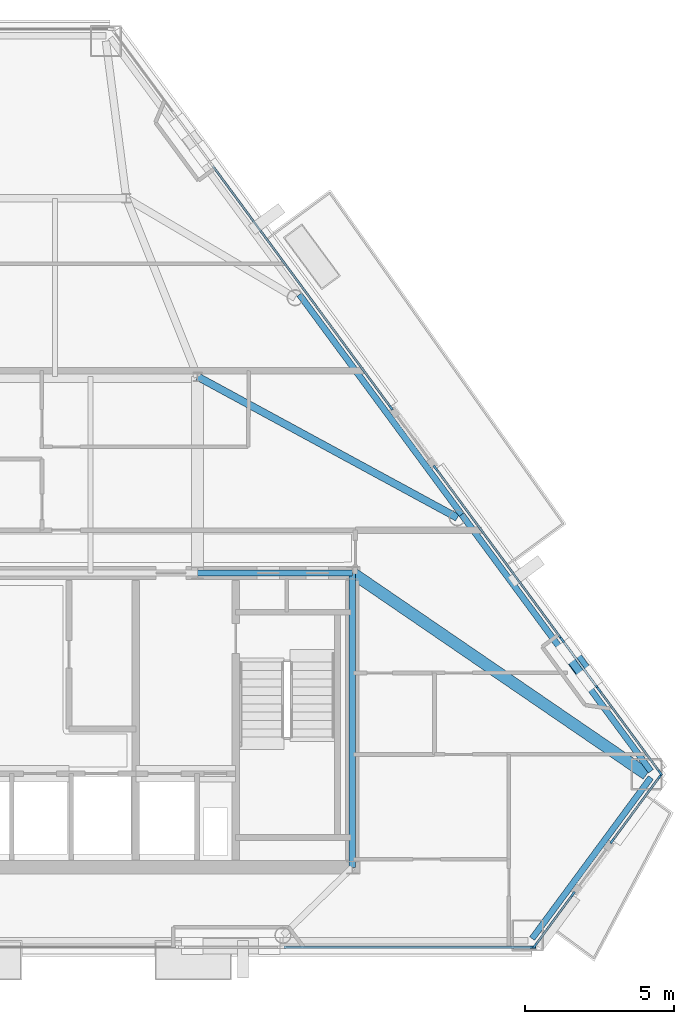
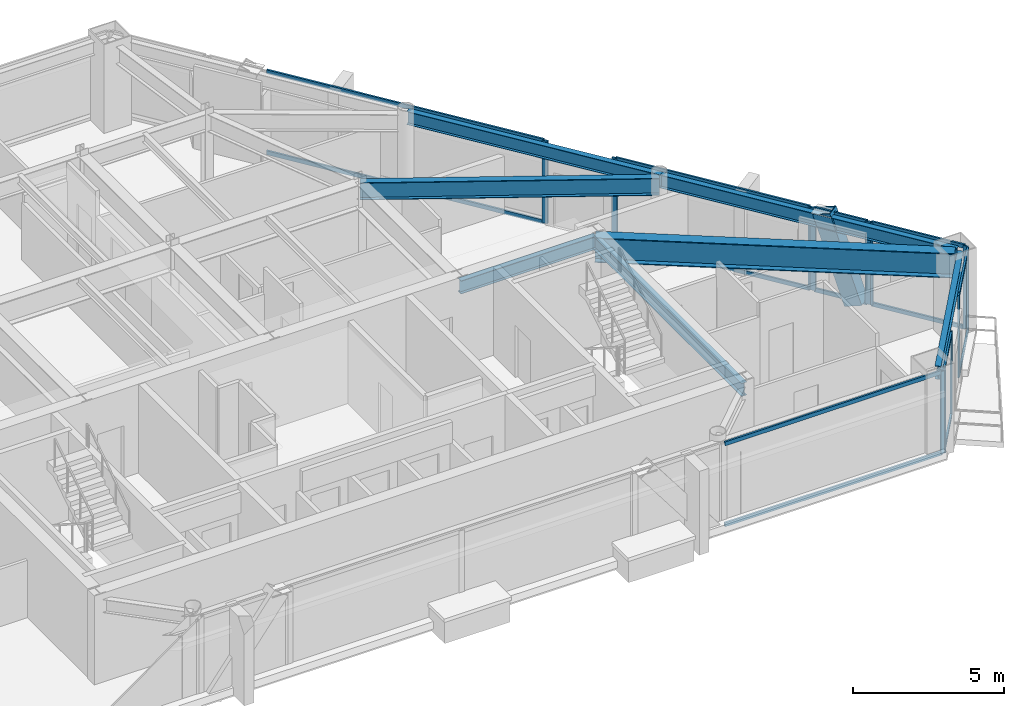
# One storey, part 5 of 11: 27 members, 7 beams, 7 elements without a shape of their own.
"""IFC4 building model written with IfcOpenShell, lengths in metres."""

from ifc_helpers import new_model, si_unit, direction, frame, origin, origin_2d, place, context, subcontext, project, spatial, rectangle, hollow_rectangle, i_section, extrude, material, layer, layer_set, material_profile, profile_set, type_object, element, aggregate, save


model = new_model("IFC4")

# Units and contexts
model_context = context("Model", 3, precision=1e-05, world=origin(), true_north=direction((0.0, 1.0)))
body_context = subcontext(model_context, "Body", "Model", "MODEL_VIEW")
ifc_project = project(units=[si_unit("LENGTHUNIT", "METRE"), si_unit("AREAUNIT", "SQUARE_METRE"), si_unit("VOLUMEUNIT", "CUBIC_METRE"), si_unit("PLANEANGLEUNIT", "RADIAN"), si_unit("MASSUNIT", "GRAM", prefix="KILO")], contexts=[model_context])

# Site, building, storey
site_placement = place(None, origin())
site = spatial("IfcSite", under=ifc_project, at=site_placement, CompositionType="ELEMENT")
building_placement = place(site_placement, origin())
building = spatial("IfcBuilding", under=site, at=building_placement, Name="Talgorran Terracotta Tower", CompositionType="ELEMENT")
storey_placement = place(building_placement, frame((0.0, 0.0, 178.5)))
storey = spatial("IfcBuildingStorey", under=building, at=storey_placement, Name="L46", CompositionType="ELEMENT", Elevation=178.5)

# Beams
ifc_material_1 = material(Name="Steel Grade 350 (350L0)", Category="steel")
ifc_material_profile_1 = material_profile(ifc_material_1, i_section(OverallWidth=0.39990234375, OverallDepth=1.0, WebThickness=0.01611328125, FlangeThickness=0.031005859375, at=origin_2d()), Name="1000WB296")
ifc_profile_set_1 = profile_set([ifc_material_profile_1], Name="Steel Grade 350 (350L0)")
beam_type_1 = type_object("IfcBeamType", Name="BM_1000WB296", PredefinedType="BEAM", material=ifc_profile_set_1)
beam_1_placement = place(storey_placement, frame((12.39990234375, -4.199951171875, 2.85009765625), z_axis=(0.82528178588, -0.564721147023, 0.0), x_axis=(0.564721147023, 0.82528178588, 0.0)))
element("IfcBeam", 1, at=beam_1_placement, inside=storey, type_object=beam_type_1, Name="L46 Floor Girder G18", PredefinedType="BEAM", context=body_context, shape_type="SweptSolid", body=[
    extrude(i_section(OverallWidth=0.39990234375, OverallDepth=1.0, WebThickness=0.01611328125, FlangeThickness=0.031005859375, at=origin_2d()), origin(), (0.0, 0.0, 1.0), 11.98876953125),
])
ifc_material_2 = material(Name="Steel S355 (300PLUS)", Category="steel")
ifc_material_profile_2 = material_profile(ifc_material_2, i_section(OverallWidth=0.25, OverallDepth=0.699951171875, WebThickness=0.011962890625, FlangeThickness=0.02392578125, at=origin_2d()), Name="700WB150")
ifc_profile_set_2 = profile_set([ifc_material_profile_2], Name="Steel S355 (300PLUS)")
beam_type_2 = type_object("IfcBeamType", Name="BM_700WB150", PredefinedType="BEAM", material=ifc_profile_set_2)
beam_2_placement = place(storey_placement, frame((7.199951171875, 2.39990234375, 3.0), z_axis=(0.878788070387, -0.477212245594, 0.0), x_axis=(0.477212245594, 0.878788070387, 0.0)))
element("IfcBeam", 2, at=beam_2_placement, inside=storey, type_object=beam_type_2, Name="L46 Floor Girder G07", PredefinedType="BEAM", context=body_context, shape_type="SweptSolid", body=[
    extrude(i_section(OverallWidth=0.25, OverallDepth=0.699951171875, WebThickness=0.011962890625, FlangeThickness=0.02392578125, at=origin_2d()), origin(), (0.0, 0.0, 1.0), 9.935302734375),
])
ifc_material_profile_3 = material_profile(ifc_material_2, i_section(OverallWidth=0.209228515625, OverallDepth=0.532958984375, WebThickness=0.01025390625, FlangeThickness=0.015625, at=origin_2d()), Name="530UB92.4")
ifc_profile_set_3 = profile_set([ifc_material_profile_3], Name="Steel S355 (300PLUS)")
beam_type_3 = type_object("IfcBeamType", Name="BM_SP_530UB92", PredefinedType="SPANDREL", material=ifc_profile_set_3)
beam_3_placement = place(storey_placement, frame((18.445556640625, -16.492431640625, 3.08349609375), z_axis=(0.593483681594, 0.804846022343, 0.0), x_axis=(-0.804846022343, 0.593483681594, 0.0)))
element("IfcBeam", 3, at=beam_3_placement, inside=storey, type_object=beam_type_3, Name="L46 Perimeter Spandrel Beam MC3-MC4", PredefinedType="SPANDREL", context=body_context, shape_type="SweptSolid", body=[
    extrude(i_section(OverallWidth=0.209228515625, OverallDepth=0.532958984375, WebThickness=0.01025390625, FlangeThickness=0.015625, at=origin_2d()), origin(), (0.0, 0.0, 1.0), 6.728271484375),
])
beam_4_placement = place(storey_placement, frame((22.438720703125, -10.863525390625, 3.08349609375), z_axis=(-0.593480195487, 0.804848592944, 0.0), x_axis=(-0.804848592944, -0.593480195487, 0.0)))
element("IfcBeam", 4, at=beam_4_placement, inside=storey, type_object=beam_type_3, Name="L46 Perimeter Spandrel Beam MC4-FC3", PredefinedType="SPANDREL", context=body_context, shape_type="SweptSolid", body=[
    extrude(i_section(OverallWidth=0.209228515625, OverallDepth=0.532958984375, WebThickness=0.01025390625, FlangeThickness=0.015625, at=origin_2d()), origin(), (0.0, 0.0, 1.0), 10.72119140625),
])
beam_5_placement = place(storey_placement, frame((16.075927734375, -2.234619140625, 3.08349609375), z_axis=(-0.593498050336, 0.804835426809, 0.0), x_axis=(-0.804835426809, -0.593498050336, 0.0)))
element("IfcBeam", 5, at=beam_5_placement, inside=storey, type_object=beam_type_3, Name="L46 Perimeter Spandrel Beam FC3-FC4", PredefinedType="SPANDREL", context=body_context, shape_type="SweptSolid", body=[
    extrude(i_section(OverallWidth=0.209228515625, OverallDepth=0.532958984375, WebThickness=0.01025390625, FlangeThickness=0.015625, at=origin_2d()), origin(), (0.0, 0.0, 1.0), 9.189697265625),
])
beam_6_placement = place(storey_placement, frame((12.39990234375, -14.10009765625, 3.08349609375), z_axis=(0.0, 1.0, 0.0), x_axis=(-1.0, 0.0, 0.0)))
element("IfcBeam", 6, at=beam_6_placement, inside=storey, type_object=beam_type_3, Name="L46 Core Frame Beam CFE", PredefinedType="SPANDREL", context=body_context, shape_type="SweptSolid", body=[
    extrude(i_section(OverallWidth=0.209228515625, OverallDepth=0.532958984375, WebThickness=0.01025390625, FlangeThickness=0.015625, at=origin_2d()), origin(), (0.0, 0.0, 1.0), 9.900146484375),
])
beam_7_placement = place(storey_placement, frame((7.199951171875, -4.199951171875, 3.08349609375), z_axis=(1.0, 0.0, 0.0), x_axis=(0.0, 1.0, 0.0)))
element("IfcBeam", 7, at=beam_7_placement, inside=storey, type_object=beam_type_3, Name="L46 Core Frame Beam CFN4", PredefinedType="SPANDREL", context=body_context, shape_type="SweptSolid", body=[
    extrude(i_section(OverallWidth=0.209228515625, OverallDepth=0.532958984375, WebThickness=0.01025390625, FlangeThickness=0.015625, at=origin_2d()), origin(), (0.0, 0.0, 1.0), 5.199951171875),
])

# Member
ifc_material_profile_4 = material_profile(ifc_material_1, hollow_rectangle(XDim=0.52001953125, YDim=0.659912109375, WallThickness=0.034912109375, at=origin_2d()), Name="WBOX660X520X35")
ifc_profile_set_4 = profile_set([ifc_material_profile_4], Name="Steel Grade 350 (350L0)")
member_type_1 = type_object("IfcMemberType", Name="MB_MEGA_660", PredefinedType="BRACE", material=ifc_profile_set_4)
member_1_placement = place(storey_placement, frame((20.36181640625, -7.743408203125, -0.02490234375), z_axis=(-0.190192995506, 0.25780810192, 0.947291722251), x_axis=(-0.804714153157, -0.593662472883, 0.0)))
element("IfcMember", 8, at=member_1_placement, inside=storey, type_object=member_type_1, Name="L46 Exterior Face Mega-Brace MB-3 (NEL)", PredefinedType="BRACE", context=body_context, shape_type="SweptSolid", body=[
    extrude(hollow_rectangle(XDim=0.52001953125, YDim=0.659912109375, WallThickness=0.034912109375, at=origin_2d()), origin(), (0.0, 0.0, 1.0), 3.589111328125),
])

# Curtain wall, member
ifc_material_3 = material(Name="High-Wind Unitised Glazing", Category="glass")
ifc_layer = layer(ifc_material_3, 0.2099609375, Name="CW_SYS3_RES_HIGH")
ifc_layer_set = layer_set([ifc_layer], Name="High-Wind Unitised Glazing")
curtain_wall_type = type_object("IfcCurtainWallType", Name="CW_SYS3_RES_HIGH", PredefinedType="NOTDEFINED", material=ifc_layer_set)
curtain_wall_1_placement = place(storey_placement, origin())
curtain_wall_1 = element("IfcCurtainWall", 9, at=curtain_wall_1_placement, inside=storey, type_object=curtain_wall_type, Name="CW-L46-F1E", PredefinedType="NOTDEFINED")
ifc_material_4 = material(Name="Architectural Aluminium 6063-T6", Category="aluminium")
ifc_material_profile_5 = material_profile(ifc_material_4, rectangle(XDim=0.070068359375, YDim=0.199951171875, at=origin_2d()), Name="CWM70X200")
ifc_profile_set_5 = profile_set([ifc_material_profile_5], Name="Architectural Aluminium 6063-T6")
member_type_2 = type_object("IfcMemberType", Name="MUL_70X200", PredefinedType="MULLION", material=ifc_profile_set_5)
member_2_placement = place(storey_placement, frame((18.4677734375, -16.78564453125, 0.0), z_axis=(0.0, 0.0, 1.0), x_axis=(0.0, 1.0, 0.0)))
member_2 = element("IfcMember", 10, at=member_2_placement, type_object=member_type_2, Name="CW-L46-1E mullion 2", PredefinedType="MULLION", context=body_context, shape_type="SweptSolid", body=[
    extrude(rectangle(XDim=0.070068359375, YDim=0.199951171875, at=origin_2d()), origin(), (0.0, 0.0, 1.0), 3.35009765625),
])

# Curtain wall, members
curtain_wall_2_placement = place(storey_placement, origin())
curtain_wall_2 = element("IfcCurtainWall", 11, at=curtain_wall_2_placement, inside=storey, type_object=curtain_wall_type, Name="CW-L46-F30", PredefinedType="NOTDEFINED")
member_3_placement = place(storey_placement, frame((18.547119140625, -16.725341796875, 0.0), z_axis=(0.0, 0.0, 1.0), x_axis=(-0.804828306239, 0.593507706332, 0.0)))
member_3 = element("IfcMember", 12, at=member_3_placement, type_object=member_type_2, Name="CW-L46-30 mullion 1", PredefinedType="MULLION", context=body_context, shape_type="SweptSolid", body=[
    extrude(rectangle(XDim=0.070068359375, YDim=0.199951171875, at=origin_2d()), origin(), (0.0, 0.0, 1.0), 3.35009765625),
])
member_4_placement = place(storey_placement, frame((19.817138671875, -15.0029296875, 0.0), z_axis=(0.0, 0.0, 1.0), x_axis=(-0.804828306239, 0.593507706332, 0.0)))
member_4 = element("IfcMember", 13, at=member_4_placement, type_object=member_type_2, Name="CW-L46-30 mullion 2", PredefinedType="MULLION", context=body_context, shape_type="SweptSolid", body=[
    extrude(rectangle(XDim=0.070068359375, YDim=0.199951171875, at=origin_2d()), origin(), (0.0, 0.0, 1.0), 3.35009765625),
])

curtain_wall_3_placement = place(storey_placement, origin())
curtain_wall_3 = element("IfcCurtainWall", 14, at=curtain_wall_3_placement, inside=storey, type_object=curtain_wall_type, Name="CW-L46-F31", PredefinedType="NOTDEFINED")
member_5_placement = place(storey_placement, frame((21.140625, -13.208251953125, 0.0), z_axis=(0.0, 0.0, 1.0), x_axis=(-0.804824851798, 0.593512390712, 0.0)))
member_5 = element("IfcMember", 15, at=member_5_placement, type_object=member_type_2, Name="CW-L46-31 mullion 1", PredefinedType="MULLION", context=body_context, shape_type="SweptSolid", body=[
    extrude(rectangle(XDim=0.070068359375, YDim=0.199951171875, at=origin_2d()), origin(), (0.0, 0.0, 1.0), 3.35009765625),
])
member_6_placement = place(storey_placement, frame((22.746337890625, -11.03076171875, 0.0), z_axis=(0.0, 0.0, 1.0), x_axis=(-0.804824851798, 0.593512390712, 0.0)))
member_6 = element("IfcMember", 16, at=member_6_placement, type_object=member_type_2, Name="CW-L46-31 mullion 2", PredefinedType="MULLION", context=body_context, shape_type="SweptSolid", body=[
    extrude(rectangle(XDim=0.070068359375, YDim=0.199951171875, at=origin_2d()), origin(), (0.0, 0.0, 1.0), 3.35009765625),
])

curtain_wall_4_placement = place(storey_placement, origin())
curtain_wall_4 = element("IfcCurtainWall", 17, at=curtain_wall_4_placement, inside=storey, type_object=curtain_wall_type, Name="CW-L46-F40", PredefinedType="NOTDEFINED")
member_7_placement = place(storey_placement, frame((22.746337890625, -10.909912109375, 0.0), z_axis=(0.0, 0.0, 1.0), x_axis=(-0.804840108545, -0.59349170144, 0.0)))
member_7 = element("IfcMember", 18, at=member_7_placement, type_object=member_type_2, Name="CW-L46-40 mullion 1", PredefinedType="MULLION", context=body_context, shape_type="SweptSolid", body=[
    extrude(rectangle(XDim=0.070068359375, YDim=0.199951171875, at=origin_2d()), origin(), (0.0, 0.0, 1.0), 3.35009765625),
])
member_8_placement = place(storey_placement, frame((20.6923828125, -8.124267578125, 0.0), z_axis=(0.0, 0.0, 1.0), x_axis=(-0.804840108545, -0.59349170144, 0.0)))
member_8 = element("IfcMember", 19, at=member_8_placement, type_object=member_type_2, Name="CW-L46-40 mullion 2", PredefinedType="MULLION", context=body_context, shape_type="SweptSolid", body=[
    extrude(rectangle(XDim=0.070068359375, YDim=0.199951171875, at=origin_2d()), origin(), (0.0, 0.0, 1.0), 3.35009765625),
])

curtain_wall_5_placement = place(storey_placement, origin())
curtain_wall_5 = element("IfcCurtainWall", 20, at=curtain_wall_5_placement, inside=storey, type_object=curtain_wall_type, Name="CW-L46-F40B", PredefinedType="NOTDEFINED")
member_9_placement = place(storey_placement, frame((20.644775390625, -8.059814453125, 0.0), z_axis=(0.0, 0.0, 1.0), x_axis=(-0.804825749538, -0.593511173341, 0.0)))
member_9 = element("IfcMember", 21, at=member_9_placement, type_object=member_type_2, Name="CW-L46-40B mullion 1", PredefinedType="MULLION", context=body_context, shape_type="SweptSolid", body=[
    extrude(rectangle(XDim=0.070068359375, YDim=0.199951171875, at=origin_2d()), origin(), (0.0, 0.0, 1.0), 3.35009765625),
])
member_10_placement = place(storey_placement, frame((19.460693359375, -6.4541015625, 0.0), z_axis=(0.0, 0.0, 1.0), x_axis=(-0.804825749538, -0.593511173341, 0.0)))
member_10 = element("IfcMember", 22, at=member_10_placement, type_object=member_type_2, Name="CW-L46-40B mullion 2", PredefinedType="MULLION", context=body_context, shape_type="SweptSolid", body=[
    extrude(rectangle(XDim=0.070068359375, YDim=0.199951171875, at=origin_2d()), origin(), (0.0, 0.0, 1.0), 3.35009765625),
])

curtain_wall_6_placement = place(storey_placement, origin())
curtain_wall_6 = element("IfcCurtainWall", 23, at=curtain_wall_6_placement, inside=storey, type_object=curtain_wall_type, Name="CW-L46-F40C", PredefinedType="NOTDEFINED")
member_11_placement = place(storey_placement, frame((19.413330078125, -6.3896484375, 0.0), z_axis=(0.0, 0.0, 1.0), x_axis=(-0.804837265501, -0.593495556901, 0.0)))
member_11 = element("IfcMember", 24, at=member_11_placement, type_object=member_type_2, Name="CW-L46-40C mullion 1", PredefinedType="MULLION", context=body_context, shape_type="SweptSolid", body=[
    extrude(rectangle(XDim=0.070068359375, YDim=0.199951171875, at=origin_2d()), origin(), (0.0, 0.0, 1.0), 3.35009765625),
])
member_12_placement = place(storey_placement, frame((15.195068359375, -0.66943359375, 0.0), z_axis=(0.0, 0.0, 1.0), x_axis=(-0.804837265501, -0.593495556901, 0.0)))
member_12 = element("IfcMember", 25, at=member_12_placement, type_object=member_type_2, Name="CW-L46-40C mullion 2", PredefinedType="MULLION", context=body_context, shape_type="SweptSolid", body=[
    extrude(rectangle(XDim=0.070068359375, YDim=0.199951171875, at=origin_2d()), origin(), (0.0, 0.0, 1.0), 3.35009765625),
])

# Curtain wall, member
curtain_wall_7_placement = place(storey_placement, origin())
curtain_wall_7 = element("IfcCurtainWall", 26, at=curtain_wall_7_placement, inside=storey, type_object=curtain_wall_type, Name="CW-L46-F41", PredefinedType="NOTDEFINED")
member_13_placement = place(storey_placement, frame((13.693359375, 1.366943359375, 0.0), z_axis=(0.0, 0.0, 1.0), x_axis=(-0.804840415381, -0.593491285336, 0.0)))
member_13 = element("IfcMember", 27, at=member_13_placement, type_object=member_type_2, Name="CW-L46-41 mullion 1", PredefinedType="MULLION", context=body_context, shape_type="SweptSolid", body=[
    extrude(rectangle(XDim=0.070068359375, YDim=0.199951171875, at=origin_2d()), origin(), (0.0, 0.0, 1.0), 3.35009765625),
])

# Member
ifc_material_profile_6 = material_profile(ifc_material_4, rectangle(XDim=0.070068359375, YDim=0.159912109375, at=origin_2d()), Name="CWT70X160")
ifc_profile_set_6 = profile_set([ifc_material_profile_6], Name="Architectural Aluminium 6063-T6")
member_type_3 = type_object("IfcMemberType", Name="TRN_70X160", PredefinedType="USERDEFINED", material=ifc_profile_set_6)
member_14_placement = place(storey_placement, frame((10.098388671875, -16.78564453125, 0.034912109375), z_axis=(1.0, 0.0, 0.0), x_axis=(0.0, 1.0, 0.0)))
member_14 = element("IfcMember", 28, at=member_14_placement, type_object=member_type_3, Name="CW-L46-1E transom 1.1", ObjectType="TRANSOM", PredefinedType="USERDEFINED", context=body_context, shape_type="SweptSolid", body=[
    extrude(rectangle(XDim=0.070068359375, YDim=0.159912109375, at=origin_2d()), origin(), (0.0, 0.0, 1.0), 8.334228515625),
])

member_15_placement = place(storey_placement, frame((10.098388671875, -16.78564453125, 3.31494140625), z_axis=(1.0, 0.0, 0.0), x_axis=(0.0, 1.0, 0.0)))
member_15 = element("IfcMember", 29, at=member_15_placement, type_object=member_type_3, Name="CW-L46-1E transom 1.2", ObjectType="TRANSOM", PredefinedType="USERDEFINED", context=body_context, shape_type="SweptSolid", body=[
    extrude(rectangle(XDim=0.070068359375, YDim=0.159912109375, at=origin_2d()), origin(), (0.0, 0.0, 1.0), 8.334228515625),
])

aggregate(curtain_wall_1, [member_2, member_14, member_15])

member_16_placement = place(storey_placement, frame((18.56787109375, -16.697021484375, 0.034912109375), z_axis=(0.593545010172, 0.804800795787, 0.0), x_axis=(-0.804800795787, 0.593545010172, 0.0)))
member_16 = element("IfcMember", 30, at=member_16_placement, type_object=member_type_3, Name="CW-L46-30 transom 1.1", ObjectType="TRANSOM", PredefinedType="USERDEFINED", context=body_context, shape_type="SweptSolid", body=[
    extrude(rectangle(XDim=0.070068359375, YDim=0.159912109375, at=origin_2d()), origin(), (0.0, 0.0, 1.0), 2.06982421875),
])

member_17_placement = place(storey_placement, frame((18.56787109375, -16.697021484375, 3.31494140625), z_axis=(0.593545010172, 0.804800795787, 0.0), x_axis=(-0.804800795787, 0.593545010172, 0.0)))
member_17 = element("IfcMember", 31, at=member_17_placement, type_object=member_type_3, Name="CW-L46-30 transom 1.2", ObjectType="TRANSOM", PredefinedType="USERDEFINED", context=body_context, shape_type="SweptSolid", body=[
    extrude(rectangle(XDim=0.070068359375, YDim=0.159912109375, at=origin_2d()), origin(), (0.0, 0.0, 1.0), 2.06982421875),
])

aggregate(curtain_wall_2, [member_3, member_4, member_16, member_17])

member_18_placement = place(storey_placement, frame((21.161376953125, -13.179931640625, 0.034912109375), z_axis=(0.593518144528, 0.804820608655, 0.0), x_axis=(-0.804820608655, 0.593518144528, 0.0)))
member_18 = element("IfcMember", 32, at=member_18_placement, type_object=member_type_3, Name="CW-L46-31 transom 1.1", ObjectType="TRANSOM", PredefinedType="USERDEFINED", context=body_context, shape_type="SweptSolid", body=[
    extrude(rectangle(XDim=0.070068359375, YDim=0.159912109375, at=origin_2d()), origin(), (0.0, 0.0, 1.0), 2.635498046875),
])

member_19_placement = place(storey_placement, frame((21.161376953125, -13.179931640625, 3.31494140625), z_axis=(0.593518144528, 0.804820608655, 0.0), x_axis=(-0.804820608655, 0.593518144528, 0.0)))
member_19 = element("IfcMember", 33, at=member_19_placement, type_object=member_type_3, Name="CW-L46-31 transom 1.2", ObjectType="TRANSOM", PredefinedType="USERDEFINED", context=body_context, shape_type="SweptSolid", body=[
    extrude(rectangle(XDim=0.070068359375, YDim=0.159912109375, at=origin_2d()), origin(), (0.0, 0.0, 1.0), 2.635498046875),
])

aggregate(curtain_wall_3, [member_5, member_6, member_18, member_19])

member_20_placement = place(storey_placement, frame((22.7255859375, -10.8818359375, 0.034912109375), z_axis=(-0.593437221881, 0.804880279101, 0.0), x_axis=(-0.804880279101, -0.593437221881, 0.0)))
member_20 = element("IfcMember", 34, at=member_20_placement, type_object=member_type_3, Name="CW-L46-40 transom 1.1", ObjectType="TRANSOM", PredefinedType="USERDEFINED", context=body_context, shape_type="SweptSolid", body=[
    extrude(rectangle(XDim=0.070068359375, YDim=0.159912109375, at=origin_2d()), origin(), (0.0, 0.0, 1.0), 3.39111328125),
])

member_21_placement = place(storey_placement, frame((22.7255859375, -10.8818359375, 3.31494140625), z_axis=(-0.593437221881, 0.804880279101, 0.0), x_axis=(-0.804880279101, -0.593437221881, 0.0)))
member_21 = element("IfcMember", 35, at=member_21_placement, type_object=member_type_3, Name="CW-L46-40 transom 1.2", ObjectType="TRANSOM", PredefinedType="USERDEFINED", context=body_context, shape_type="SweptSolid", body=[
    extrude(rectangle(XDim=0.070068359375, YDim=0.159912109375, at=origin_2d()), origin(), (0.0, 0.0, 1.0), 3.39111328125),
])

aggregate(curtain_wall_4, [member_7, member_8, member_20, member_21])

member_22_placement = place(storey_placement, frame((20.6240234375, -8.03173828125, 0.034912109375), z_axis=(-0.593527769942, 0.804813510267, 0.0), x_axis=(-0.804813510267, -0.593527769942, 0.0)))
member_22 = element("IfcMember", 36, at=member_22_placement, type_object=member_type_3, Name="CW-L46-40B transom 1.1", ObjectType="TRANSOM", PredefinedType="USERDEFINED", context=body_context, shape_type="SweptSolid", body=[
    extrude(rectangle(XDim=0.070068359375, YDim=0.159912109375, at=origin_2d()), origin(), (0.0, 0.0, 1.0), 1.925048828125),
])

member_23_placement = place(storey_placement, frame((20.6240234375, -8.03173828125, 3.31494140625), z_axis=(-0.593527769942, 0.804813510267, 0.0), x_axis=(-0.804813510267, -0.593527769942, 0.0)))
member_23 = element("IfcMember", 37, at=member_23_placement, type_object=member_type_3, Name="CW-L46-40B transom 1.2", ObjectType="TRANSOM", PredefinedType="USERDEFINED", context=body_context, shape_type="SweptSolid", body=[
    extrude(rectangle(XDim=0.070068359375, YDim=0.159912109375, at=origin_2d()), origin(), (0.0, 0.0, 1.0), 1.925048828125),
])

aggregate(curtain_wall_5, [member_9, member_10, member_22, member_23])

member_24_placement = place(storey_placement, frame((19.392333984375, -6.361572265625, 0.034912109375), z_axis=(-0.593474732422, 0.804852621277, 0.0), x_axis=(-0.804852621277, -0.593474732422, 0.0)))
member_24 = element("IfcMember", 38, at=member_24_placement, type_object=member_type_3, Name="CW-L46-40C transom 1.1", ObjectType="TRANSOM", PredefinedType="USERDEFINED", context=body_context, shape_type="SweptSolid", body=[
    extrude(rectangle(XDim=0.070068359375, YDim=0.159912109375, at=origin_2d()), origin(), (0.0, 0.0, 1.0), 7.037353515625),
])

member_25_placement = place(storey_placement, frame((19.392333984375, -6.361572265625, 3.31494140625), z_axis=(-0.593474732422, 0.804852621277, 0.0), x_axis=(-0.804852621277, -0.593474732422, 0.0)))
member_25 = element("IfcMember", 39, at=member_25_placement, type_object=member_type_3, Name="CW-L46-40C transom 1.2", ObjectType="TRANSOM", PredefinedType="USERDEFINED", context=body_context, shape_type="SweptSolid", body=[
    extrude(rectangle(XDim=0.070068359375, YDim=0.159912109375, at=origin_2d()), origin(), (0.0, 0.0, 1.0), 7.037353515625),
])

aggregate(curtain_wall_6, [member_11, member_12, member_24, member_25])

member_26_placement = place(storey_placement, frame((13.672607421875, 1.39501953125, 0.034912109375), z_axis=(-0.593488244737, 0.804842657517, 0.0), x_axis=(-0.804842657517, -0.593488244737, 0.0)))
member_26 = element("IfcMember", 40, at=member_26_placement, type_object=member_type_3, Name="CW-L46-41 transom 1.1", ObjectType="TRANSOM", PredefinedType="USERDEFINED", context=body_context, shape_type="SweptSolid", body=[
    extrude(rectangle(XDim=0.070068359375, YDim=0.159912109375, at=origin_2d()), origin(), (0.0, 0.0, 1.0), 10.04833984375),
])

member_27_placement = place(storey_placement, frame((13.672607421875, 1.39501953125, 3.31494140625), z_axis=(-0.593488244737, 0.804842657517, 0.0), x_axis=(-0.804842657517, -0.593488244737, 0.0)))
member_27 = element("IfcMember", 41, at=member_27_placement, type_object=member_type_3, Name="CW-L46-41 transom 1.2", ObjectType="TRANSOM", PredefinedType="USERDEFINED", context=body_context, shape_type="SweptSolid", body=[
    extrude(rectangle(XDim=0.070068359375, YDim=0.159912109375, at=origin_2d()), origin(), (0.0, 0.0, 1.0), 10.04833984375),
])

aggregate(curtain_wall_7, [member_13, member_26, member_27])

save(model, "model.ifc")
